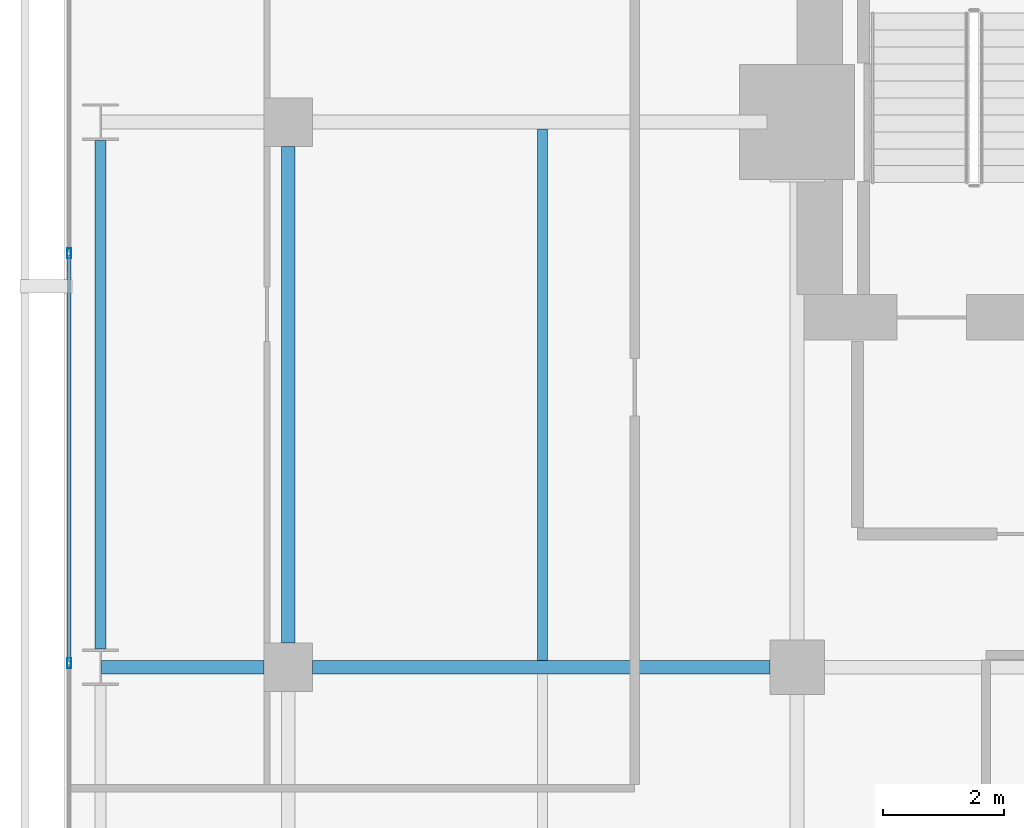
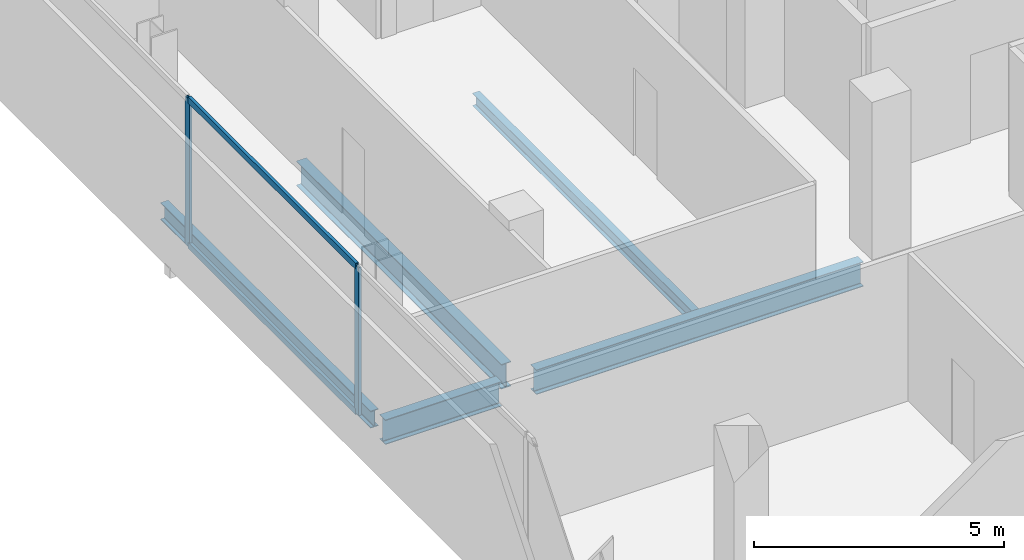
# One storey, part 18 of 33: 5 beams, 4 members, 1 element without a shape of its own.
"""IFC4 building model written with IfcOpenShell, lengths in metres."""

from ifc_helpers import new_model, si_unit, direction, frame, origin, origin_2d, place, context, subcontext, project, spatial, hollow_rectangle, i_section, extrude, material, layer, layer_set, material_profile, profile_set, type_object, element, aggregate, save


model = new_model("IFC4")

# Units and contexts
model_context = context("Model", 3, precision=1e-05, world=origin(), true_north=direction((0.0, 1.0)))
body_context = subcontext(model_context, "Body", "Model", "MODEL_VIEW")
ifc_project = project(units=[si_unit("LENGTHUNIT", "METRE"), si_unit("AREAUNIT", "SQUARE_METRE"), si_unit("VOLUMEUNIT", "CUBIC_METRE"), si_unit("PLANEANGLEUNIT", "RADIAN"), si_unit("MASSUNIT", "GRAM", prefix="KILO")], contexts=[model_context])

# Site, building, storey
site_placement = place(None, origin())
site = spatial("IfcSite", under=ifc_project, at=site_placement, CompositionType="ELEMENT")
building_placement = place(site_placement, origin())
building = spatial("IfcBuilding", under=site, at=building_placement, Name="Maruvema Waterfront Hotel and Observation Tower", CompositionType="ELEMENT")
storey_placement = place(building_placement, frame((0.0, 0.0, 169.75)))
storey = spatial("IfcBuildingStorey", under=building, at=storey_placement, Name="L41", CompositionType="ELEMENT", Elevation=169.75)

# Curtain wall, members
ifc_material_1 = material(Name="Anodised bronze aluminium and solar-control low-E IGU", Category="aluminium")
ifc_layer = layer(ifc_material_1, 0.159912109375, Name="Zone 2 Amber Inner Thermal Curtain Wall System CW-03")
ifc_layer_set = layer_set([ifc_layer], Name="Anodised bronze aluminium and solar-control low-E IGU")
curtain_wall_type = type_object("IfcCurtainWallType", Name="Zone 2 Amber Inner Thermal Curtain Wall System CW-03", PredefinedType="USERDEFINED", material=ifc_layer_set)
curtain_wall_placement = place(storey_placement, origin())
curtain_wall = element("IfcCurtainWall", 1, at=curtain_wall_placement, inside=storey, type_object=curtain_wall_type, Name="L41 Curtain Wall CW-L41-W", ObjectType="UNITISED CURTAIN WALL", PredefinedType="USERDEFINED")
ifc_material_2 = material(Name="Anodised architectural bronze aluminium", Category="aluminium")
ifc_material_profile_1 = material_profile(ifc_material_2, hollow_rectangle(XDim=0.070068359375, YDim=0.14990234375, WallThickness=0.00390625, at=origin_2d()), Name="ALU-T70x150")
ifc_profile_set_1 = profile_set([ifc_material_profile_1], Name="Anodised architectural bronze aluminium")
member_type_1 = type_object("IfcMemberType", Name="Curtain Wall Horizontal Transom ALU-T70x150", PredefinedType="USERDEFINED", material=ifc_profile_set_1)
member_1_placement = place(storey_placement, frame((13.179931640625, 42.80322265625, 0.030029296875), z_axis=(0.0, -1.0, 0.0), x_axis=(1.0, 0.0, 0.0)))
member_1 = element("IfcMember", 2, at=member_1_placement, type_object=member_type_1, Name="CW-03 transom 2.1", ObjectType="TRANSOM", PredefinedType="USERDEFINED", context=body_context, shape_type="SweptSolid", body=[
    extrude(hollow_rectangle(XDim=0.070068359375, YDim=0.14990234375, WallThickness=0.00390625, at=origin_2d()), origin(), (0.0, 0.0, 1.0), 6.70654296875),
])
member_2_placement = place(storey_placement, frame((13.179931640625, 42.80322265625, 3.580078125), z_axis=(0.0, -1.0, 0.0), x_axis=(1.0, 0.0, 0.0)))
member_2 = element("IfcMember", 3, at=member_2_placement, type_object=member_type_1, Name="CW-03 transom 2.2", ObjectType="TRANSOM", PredefinedType="USERDEFINED", context=body_context, shape_type="SweptSolid", body=[
    extrude(hollow_rectangle(XDim=0.070068359375, YDim=0.14990234375, WallThickness=0.00390625, at=origin_2d()), origin(), (0.0, 0.0, 1.0), 6.70654296875),
])
ifc_material_3 = material(Name="Anodised architectural bronze aluminium", Category="aluminium")
ifc_material_profile_2 = material_profile(ifc_material_3, hollow_rectangle(XDim=0.06494140625, YDim=0.1650390625, WallThickness=0.00390625, at=origin_2d()), Name="ALU-M65x165")
ifc_profile_set_2 = profile_set([ifc_material_profile_2], Name="Anodised architectural bronze aluminium")
member_type_2 = type_object("IfcMemberType", Name="Curtain Wall Primary Mullion ALU-M65x165", PredefinedType="MULLION", material=ifc_profile_set_2)
member_3_placement = place(storey_placement, frame((13.179931640625, 42.833251953125, 0.0), z_axis=(0.0, 0.0, 1.0), x_axis=(1.0, 0.0, 0.0)))
member_3 = element("IfcMember", 4, at=member_3_placement, type_object=member_type_2, Name="CW-03 mullion 2", PredefinedType="MULLION", context=body_context, shape_type="SweptSolid", body=[
    extrude(hollow_rectangle(XDim=0.06494140625, YDim=0.1650390625, WallThickness=0.00390625, at=origin_2d()), origin(), (0.0, 0.0, 1.0), 3.610107421875),
])
member_4_placement = place(storey_placement, frame((13.179931640625, 36.066650390625, 0.0), z_axis=(0.0, 0.0, 1.0), x_axis=(1.0, 0.0, 0.0)))
member_4 = element("IfcMember", 5, at=member_4_placement, type_object=member_type_2, Name="CW-03 mullion 3", PredefinedType="MULLION", context=body_context, shape_type="SweptSolid", body=[
    extrude(hollow_rectangle(XDim=0.06494140625, YDim=0.1650390625, WallThickness=0.00390625, at=origin_2d()), origin(), (0.0, 0.0, 1.0), 3.610107421875),
])
aggregate(curtain_wall, [member_3, member_4, member_1, member_2])

# Beams
ifc_material_4 = material(Name="Steel ASTM A572 Grade 50", Category="steel")
ifc_material_profile_3 = material_profile(ifc_material_4, i_section(OverallWidth=0.180908203125, OverallDepth=0.4169921875, WebThickness=0.010986328125, FlangeThickness=0.018310546875, FilletRadius=0.014892578125, at=origin_2d()), Name="W410x85.0")
ifc_profile_set_3 = profile_set([ifc_material_profile_3], Name="Steel ASTM A572 Grade 50")
beam_type_1 = type_object("IfcBeamType", Name="Perimeter Spandrel Beam W410x85.0", PredefinedType="SPANDREL", material=ifc_profile_set_3)
beam_1_placement = place(storey_placement, frame((13.699951171875, 36.300048828125, -0.448486328125), z_axis=(0.0, 1.0, 0.0), x_axis=(-1.0, 0.0, 0.0)))
element("IfcBeam", 6, at=beam_1_placement, inside=storey, type_object=beam_type_1, Name="L41 Floor Girder NS-04", PredefinedType="SPANDREL", context=body_context, shape_type="SweptSolid", body=[
    extrude(i_section(OverallWidth=0.180908203125, OverallDepth=0.4169921875, WebThickness=0.010986328125, FlangeThickness=0.018310546875, FilletRadius=0.014892578125, at=origin_2d()), origin(), (0.0, 0.0, 1.0), 8.39990234375),
])
ifc_material_5 = material(Name="Steel ASTM A572 Grade 50", Category="steel")
ifc_material_profile_4 = material_profile(ifc_material_5, i_section(OverallWidth=0.22802734375, OverallDepth=0.60302734375, WebThickness=0.010498046875, FlangeThickness=0.014892578125, FilletRadius=0.01806640625, at=origin_2d()), Name="W610x101.0")
ifc_profile_set_4 = profile_set([ifc_material_profile_4], Name="Steel ASTM A572 Grade 50")
beam_type_2 = type_object("IfcBeamType", Name="Primary Floor Girder W610x101.0", PredefinedType="BEAM", material=ifc_profile_set_4)
beam_2_placement = place(storey_placement, frame((13.71240234375, 36.0, -0.54150390625), z_axis=(1.0, 0.0, 0.0), x_axis=(0.0, 1.0, 0.0)))
element("IfcBeam", 7, at=beam_2_placement, inside=storey, type_object=beam_type_2, Name="L41 Floor Girder EW-23", PredefinedType="BEAM", context=body_context, shape_type="SweptSolid", body=[
    extrude(i_section(OverallWidth=0.22802734375, OverallDepth=0.60302734375, WebThickness=0.010498046875, FlangeThickness=0.014892578125, FilletRadius=0.01806640625, at=origin_2d()), origin(), (0.0, 0.0, 1.0), 2.6875),
])
beam_3_placement = place(storey_placement, frame((17.199951171875, 36.0, -0.54150390625), z_axis=(1.0, 0.0, 0.0), x_axis=(0.0, 1.0, 0.0)))
element("IfcBeam", 8, at=beam_3_placement, inside=storey, type_object=beam_type_2, Name="L41 Floor Girder EW-24", PredefinedType="BEAM", context=body_context, shape_type="SweptSolid", body=[
    extrude(i_section(OverallWidth=0.22802734375, OverallDepth=0.60302734375, WebThickness=0.010498046875, FlangeThickness=0.014892578125, FilletRadius=0.01806640625, at=origin_2d()), origin(), (0.0, 0.0, 1.0), 7.550048828125),
])
beam_4_placement = place(storey_placement, frame((16.800048828125, 36.39990234375, -0.54150390625), z_axis=(0.0, 1.0, 0.0), x_axis=(-1.0, 0.0, 0.0)))
element("IfcBeam", 9, at=beam_4_placement, inside=storey, type_object=beam_type_2, Name="L41 Floor Girder NS-08", PredefinedType="BEAM", context=body_context, shape_type="SweptSolid", body=[
    extrude(i_section(OverallWidth=0.22802734375, OverallDepth=0.60302734375, WebThickness=0.010498046875, FlangeThickness=0.014892578125, FilletRadius=0.01806640625, at=origin_2d()), origin(), (0.0, 0.0, 1.0), 8.2001953125),
])
ifc_material_6 = material(Name="Steel ASTM A572 Grade 50", Category="steel")
ifc_material_profile_5 = material_profile(ifc_material_6, i_section(OverallWidth=0.1650390625, OverallDepth=0.31005859375, WebThickness=0.005859375, FlangeThickness=0.009765625, FilletRadius=0.012939453125, at=origin_2d()), Name="W310x38.7")
ifc_profile_set_5 = profile_set([ifc_material_profile_5], Name="Steel ASTM A572 Grade 50")
beam_type_3 = type_object("IfcBeamType", Name="Secondary Floor Joist W310x38.7", PredefinedType="JOIST", material=ifc_profile_set_5)
beam_5_placement = place(storey_placement, frame((21.0, 36.114013671875, -0.39501953125), z_axis=(0.0, 1.0, 0.0), x_axis=(-1.0, 0.0, 0.0)))
element("IfcBeam", 10, at=beam_5_placement, inside=storey, type_object=beam_type_3, Name="L41 Secondary Floor Joist JS-04", PredefinedType="JOIST", context=body_context, shape_type="SweptSolid", body=[
    extrude(i_section(OverallWidth=0.1650390625, OverallDepth=0.31005859375, WebThickness=0.005859375, FlangeThickness=0.009765625, FilletRadius=0.012939453125, at=origin_2d()), origin(), (0.0, 0.0, 1.0), 8.77197265625),
])

save(model, "model.ifc")
